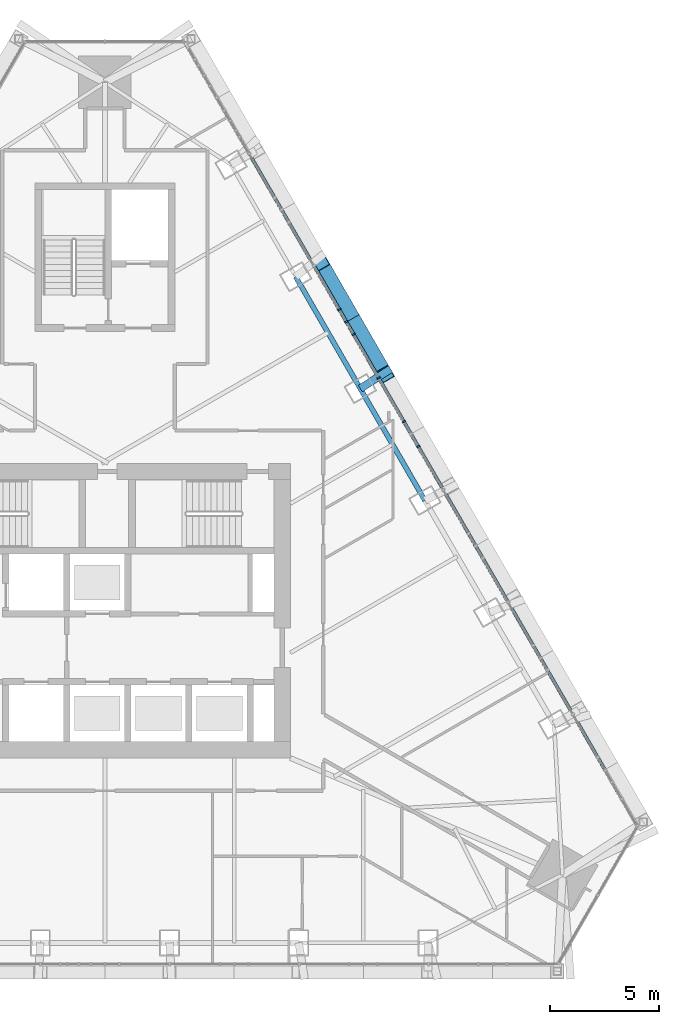
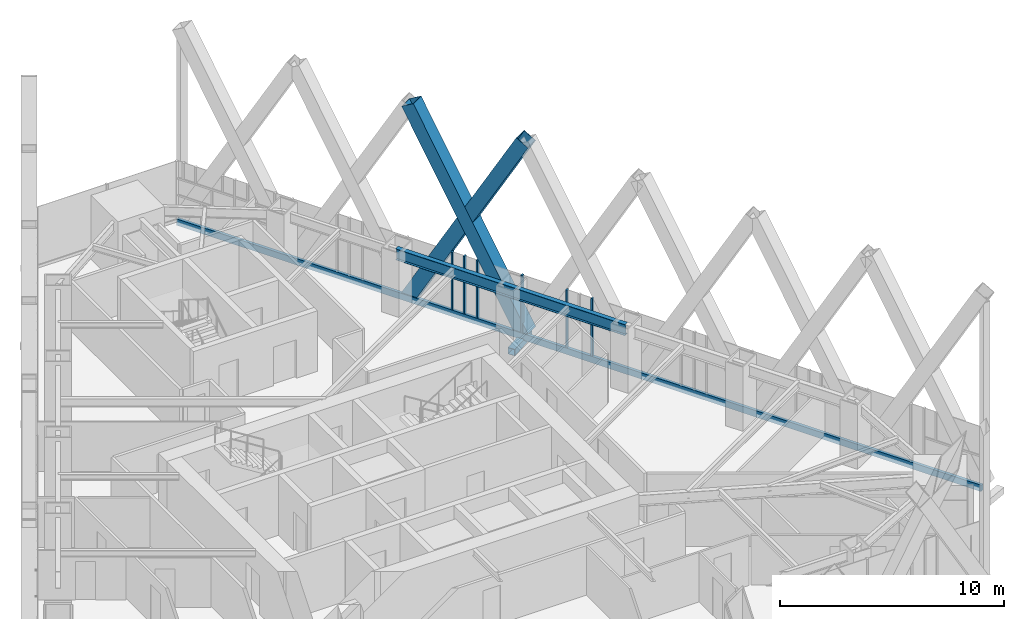
# One storey, part 8 of 23: 10 members, 1 beam, 1 element without a shape of its own.
"""IFC4 building model written with IfcOpenShell, lengths in metres."""

from ifc_helpers import new_model, si_unit, direction, frame, origin, origin_2d, place, context, subcontext, project, spatial, rectangle, hollow_rectangle, i_section, extrude, material, layer, layer_set, material_profile, profile_set, type_object, element, aggregate, save


model = new_model("IFC4")

# Units and contexts
model_context = context("Model", 3, precision=1e-05, world=origin(), true_north=direction((0.0, 1.0)))
body_context = subcontext(model_context, "Body", "Model", "MODEL_VIEW")
ifc_project = project(units=[si_unit("LENGTHUNIT", "METRE"), si_unit("AREAUNIT", "SQUARE_METRE"), si_unit("VOLUMEUNIT", "CUBIC_METRE"), si_unit("PLANEANGLEUNIT", "RADIAN"), si_unit("MASSUNIT", "GRAM", prefix="KILO")], contexts=[model_context])

# Site, building, storey
site_placement = place(None, origin())
site = spatial("IfcSite", under=ifc_project, at=site_placement, CompositionType="ELEMENT")
building_placement = place(site_placement, origin())
building = spatial("IfcBuilding", under=site, at=building_placement, Name="Firuza Gate Tower and Library", CompositionType="ELEMENT")
storey_placement = place(building_placement, frame((0.0, 0.0, 312.60009765625)))
storey = spatial("IfcBuildingStorey", under=building, at=storey_placement, Name="L76", CompositionType="ELEMENT", Elevation=312.60009765625)

# Members
ifc_material_1 = material(Name="Steel S355", Category="steel")
ifc_material_profile_1 = material_profile(ifc_material_1, hollow_rectangle(XDim=0.699951171875, YDim=0.699951171875, WallThickness=0.030029296875, at=origin_2d()))
ifc_profile_set_1 = profile_set([ifc_material_profile_1], Name="Steel S355")
member_type_1 = type_object("IfcMemberType", Name="BU700x700x30 Lattice brace", PredefinedType="BRACE", material=ifc_profile_set_1)
for number, where, z_axis, x_axis, name in (
    (1, (87.826416015625, 85.8232421875, 0.0), (-0.245560003274, 0.42533487865, 0.871085831475), (-0.866031754707, -0.499988999718, 0.0), "Lattice brace E 20.5R"),
    (2, (84.866455078125, 90.9501953125, 0.0), (0.245560003274, -0.42533487865, 0.871085831475), (0.866031754707, 0.499988999718, 0.0), "Lattice brace E 20.5L"),
):
    element("IfcMember", number, at=place(storey_placement, frame(where, z_axis=z_axis, x_axis=x_axis)), inside=storey, type_object=member_type_1, Name=name, PredefinedType="BRACE", context=body_context, shape_type="SweptSolid", body=[
        extrude(hollow_rectangle(XDim=0.699951171875, YDim=0.699951171875, WallThickness=0.030029296875, at=origin_2d()), origin(), (0.0, 0.0, 1.0), 12.053955078125),
    ])

# Curtain wall, members
ifc_material_2 = material(Name="Aluminium 6063-T6", Category="aluminium")
ifc_layer = layer(ifc_material_2, 0.14990234375)
ifc_layer_set = layer_set([ifc_layer], Name="Unitised curtain wall, residences")
curtain_wall_type = type_object("IfcCurtainWallType", Name="Unitised curtain wall, residences", PredefinedType="NOTDEFINED", material=ifc_layer_set)
curtain_wall_placement = place(storey_placement, origin())
curtain_wall = element("IfcCurtainWall", 3, at=curtain_wall_placement, inside=storey, type_object=curtain_wall_type, Name="CW3 L76 E face", PredefinedType="NOTDEFINED")
ifc_material_3 = material(Name="Aluminium 6063-T6", Category="aluminium")
ifc_material_profile_2 = material_profile(ifc_material_3, rectangle(XDim=0.14990234375, YDim=0.080078125, at=origin_2d()))
ifc_profile_set_2 = profile_set([ifc_material_profile_2], Name="Aluminium 6063-T6")
member_type_2 = type_object("IfcMemberType", Name="Curtain wall mullion 80x150", PredefinedType="MULLION", material=ifc_profile_set_2)
member_1_placement = place(storey_placement, frame((87.541748046875, 85.666015625, 0.14990234375), z_axis=(0.0, 0.0, 1.0), x_axis=(-0.866025403784, -0.5, 0.0)))
member_1 = element("IfcMember", 4, at=member_1_placement, type_object=member_type_2, Name="Mullion", PredefinedType="MULLION", context=body_context, shape_type="SweptSolid", body=[
    extrude(rectangle(XDim=0.14990234375, YDim=0.080078125, at=origin_2d()), origin(), (0.0, 0.0, 1.0), 3.14990234375),
])
member_2_placement = place(storey_placement, frame((86.058837890625, 88.23486328125, 0.14990234375), z_axis=(0.0, 0.0, 1.0), x_axis=(-0.866025403784, -0.5, 0.0)))
member_2 = element("IfcMember", 5, at=member_2_placement, type_object=member_type_2, Name="Mullion", PredefinedType="MULLION", context=body_context, shape_type="SweptSolid", body=[
    extrude(rectangle(XDim=0.14990234375, YDim=0.080078125, at=origin_2d()), origin(), (0.0, 0.0, 1.0), 3.14990234375),
])
member_3_placement = place(storey_placement, frame((89.351318359375, 82.5322265625, 0.14990234375), z_axis=(0.0, 0.0, 1.0), x_axis=(-0.866025403784, -0.5, 0.0)))
member_3 = element("IfcMember", 6, at=member_3_placement, type_object=member_type_2, Name="Mullion", PredefinedType="MULLION", context=body_context, shape_type="SweptSolid", body=[
    extrude(rectangle(XDim=0.14990234375, YDim=0.080078125, at=origin_2d()), origin(), (0.0, 0.0, 1.0), 3.14990234375),
])
member_4_placement = place(storey_placement, frame((88.69873046875, 83.66259765625, 0.14990234375), z_axis=(0.0, 0.0, 1.0), x_axis=(-0.866025403784, -0.5, 0.0)))
member_4 = element("IfcMember", 7, at=member_4_placement, type_object=member_type_2, Name="Mullion", PredefinedType="MULLION", context=body_context, shape_type="SweptSolid", body=[
    extrude(rectangle(XDim=0.14990234375, YDim=0.080078125, at=origin_2d()), origin(), (0.0, 0.0, 1.0), 3.14990234375),
])
member_5_placement = place(storey_placement, frame((86.391357421875, 87.658935546875, 0.14990234375), z_axis=(0.0, 0.0, 1.0), x_axis=(-0.866025403784, -0.5, 0.0)))
member_5 = element("IfcMember", 8, at=member_5_placement, type_object=member_type_2, Name="Mullion", PredefinedType="MULLION", context=body_context, shape_type="SweptSolid", body=[
    extrude(rectangle(XDim=0.14990234375, YDim=0.080078125, at=origin_2d()), origin(), (0.0, 0.0, 1.0), 3.14990234375),
])
member_6_placement = place(storey_placement, frame((85.738525390625, 88.789306640625, 0.14990234375), z_axis=(0.0, 0.0, 1.0), x_axis=(-0.866025403784, -0.5, 0.0)))
member_6 = element("IfcMember", 9, at=member_6_placement, type_object=member_type_2, Name="Mullion", PredefinedType="MULLION", context=body_context, shape_type="SweptSolid", body=[
    extrude(rectangle(XDim=0.14990234375, YDim=0.080078125, at=origin_2d()), origin(), (0.0, 0.0, 1.0), 3.14990234375),
])
ifc_material_4 = material(Name="Aluminium 6063-T6", Category="aluminium")
ifc_material_profile_3 = material_profile(ifc_material_4, rectangle(XDim=0.14990234375, YDim=0.35009765625, at=origin_2d()))
ifc_profile_set_3 = profile_set([ifc_material_profile_3], Name="Aluminium 6063-T6")
member_type_3 = type_object("IfcMemberType", Name="Curtain wall transom 350x150", PredefinedType="USERDEFINED", material=ifc_profile_set_3)
member_7_placement = place(storey_placement, frame((99.406494140625, 65.11572265625, -0.025146484375), z_axis=(-0.499997436385, 0.866026883883, 0.0), x_axis=(-0.866026883883, -0.499997436385, 0.0)))
member_7 = element("IfcMember", 10, at=member_7_placement, type_object=member_type_3, Name="Transom", ObjectType="TRANSOM", PredefinedType="USERDEFINED", context=body_context, shape_type="SweptSolid", body=[
    extrude(rectangle(XDim=0.14990234375, YDim=0.35009765625, at=origin_2d()), origin(), (0.0, 0.0, 1.0), 41.526611328125),
])
aggregate(curtain_wall, [member_1, member_2, member_7, member_3, member_4, member_5, member_6])

# Member
ifc_material_5 = material(Name="Steel S355", Category="steel")
ifc_material_profile_4 = material_profile(ifc_material_5, hollow_rectangle(XDim=0.355712890625, YDim=0.355712890625, WallThickness=0.014892578125, at=origin_2d()))
ifc_profile_set_4 = profile_set([ifc_material_profile_4], Name="Steel S355")
member_type_4 = type_object("IfcMemberType", Name="HSS356x356x16 Lattice node tie", PredefinedType="BRACE", material=ifc_profile_set_4)
member_8_placement = place(storey_placement, frame((86.70068359375, 85.17333984375, -0.320068359375), z_axis=(0.838228218918, 0.545319587957, 0.0), x_axis=(-0.545319587957, 0.838228218918, 0.0)))
element("IfcMember", 11, at=member_8_placement, inside=storey, type_object=member_type_4, Name="Lattice node tie E L76 534", PredefinedType="BRACE", context=body_context, shape_type="SweptSolid", body=[
    extrude(hollow_rectangle(XDim=0.355712890625, YDim=0.355712890625, WallThickness=0.014892578125, at=origin_2d()), origin(), (0.0, 0.0, 1.0), 1.657958984375),
])

# Beam
ifc_material_6 = material(Name="Steel S355", Category="steel")
ifc_material_profile_5 = material_profile(ifc_material_6, i_section(OverallWidth=0.22900390625, OverallDepth=0.612060546875, WebThickness=0.011962890625, FlangeThickness=0.01953125, at=origin_2d()))
ifc_profile_set_5 = profile_set([ifc_material_profile_5], Name="Steel S355")
beam_type = type_object("IfcBeamType", Name="W610x125 Edge beam", PredefinedType="SPANDREL", material=ifc_profile_set_5)
beam_placement = place(storey_placement, frame((89.66064453125, 80.04638671875, 2.993896484375), z_axis=(-0.500013393289, 0.866017671027, 0.0), x_axis=(-0.866017671027, -0.500013393289, 0.0)))
element("IfcBeam", 12, at=beam_placement, inside=storey, type_object=beam_type, Name="Edge beam L76 e52", PredefinedType="SPANDREL", context=body_context, shape_type="SweptSolid", body=[
    extrude(i_section(OverallWidth=0.22900390625, OverallDepth=0.612060546875, WebThickness=0.011962890625, FlangeThickness=0.01953125, at=origin_2d()), origin(), (0.0, 0.0, 1.0), 11.840087890625),
])

save(model, "model.ifc")
